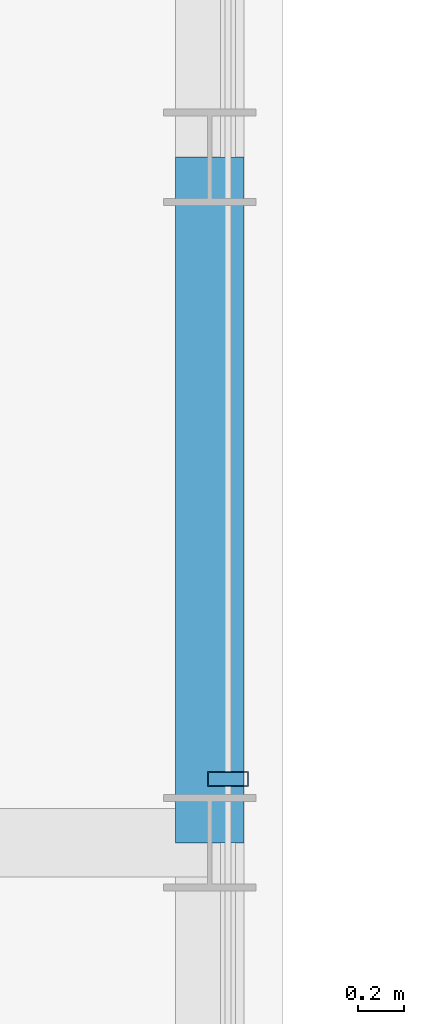
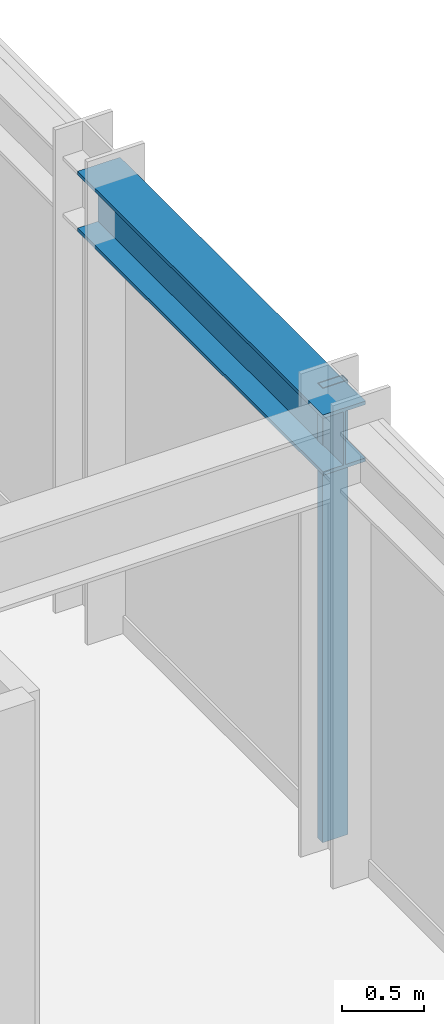
# One storey, part 13 of 29: 1 beam, 1 member, 1 element without a shape of its own.
"""IFC4 building model written with IfcOpenShell, lengths in metres."""

from ifc_helpers import new_model, si_unit, direction, frame, origin, origin_2d, place, context, subcontext, project, spatial, hollow_rectangle, i_section, extrude, source, transform, mapped, material, material_profile, profile_set, type_object, element, aggregate, save


model = new_model("IFC4")

# Units and contexts
model_context = context("Model", 3, precision=1e-05, world=origin(), true_north=direction((0.0, 1.0)))
body_context = subcontext(model_context, "Body", "Model", "MODEL_VIEW")
ifc_project = project(units=[si_unit("LENGTHUNIT", "METRE"), si_unit("AREAUNIT", "SQUARE_METRE"), si_unit("VOLUMEUNIT", "CUBIC_METRE"), si_unit("PLANEANGLEUNIT", "RADIAN"), si_unit("MASSUNIT", "GRAM", prefix="KILO")], contexts=[model_context])

# Site, building, storey
site_placement = place(None, origin())
site = spatial("IfcSite", under=ifc_project, at=site_placement, CompositionType="ELEMENT")
building_placement = place(site_placement, origin())
building = spatial("IfcBuilding", under=site, at=building_placement, Name="Nahalor Promenade Grand Hotel", CompositionType="ELEMENT")
storey_placement = place(building_placement, frame((0.0, 0.0, 189.14990234375)))
storey = spatial("IfcBuildingStorey", under=building, at=storey_placement, Name="L48", CompositionType="ELEMENT", Elevation=189.14990234375)

# Beam
ifc_material_1 = material(Name="Steel S355JR", Category="steel")
ifc_material_profile_1 = material_profile(ifc_material_1, i_section(OverallWidth=0.3, OverallDepth=0.45, WebThickness=0.014, FlangeThickness=0.026, at=origin_2d()), Name="HEB 450")
ifc_profile_set_1 = profile_set([ifc_material_profile_1], Name="Steel S355JR")
beam_type = type_object("IfcBeamType", Name="Beam-Spandrel-HEB450", PredefinedType="SPANDREL", material=ifc_profile_set_1)
shared_shape_1 = source(origin(), body_context, "Body", "SweptSolid", [
    extrude(i_section(OverallWidth=0.3, OverallDepth=0.45, WebThickness=0.014, FlangeThickness=0.026, at=origin_2d()), origin(), (0.0, 0.0, 1.0), 3.0),
])
beam_placement = place(storey_placement, frame((22.47998046875, 5.39990234375, 3.1650390625), z_axis=(0.0, 1.0, 0.0), x_axis=(-1.0, 0.0, 0.0)))
element("IfcBeam", 1, at=beam_placement, inside=storey, type_object=beam_type, Name="BM-L48-SP-E-3", PredefinedType="SPANDREL", context=body_context, shape_type="MappedRepresentation", body=[
    mapped(shared_shape_1, transform((0.0, 0.0, 0.0), scale=1.0)),
])

# Curtain wall, member
ifc_material_2 = material(Name="Anodised Bronze Aluminium EN AW-6063 T6", Category="aluminium")
curtain_wall_type = type_object("IfcCurtainWallType", Name="CW2 Typical Hotel Flush Bronze Unitised Curtain Wall", PredefinedType="USERDEFINED", material=ifc_material_2)
curtain_wall_placement = place(storey_placement, origin())
curtain_wall = element("IfcCurtainWall", 2, at=curtain_wall_placement, inside=storey, type_object=curtain_wall_type, Name="L48 Curtain Wall CW-L48-E-3", ObjectType="UNITISED_CURTAIN_WALL", PredefinedType="USERDEFINED")
ifc_material_profile_2 = material_profile(ifc_material_2, hollow_rectangle(XDim=0.065, YDim=0.18, WallThickness=0.004, at=origin_2d()), Name="CWM 65x180x4")
ifc_profile_set_2 = profile_set([ifc_material_profile_2], Name="Anodised Bronze Aluminium EN AW-6063 T6")
member_type = type_object("IfcMemberType", Name="CWM2 Typical Bronze Mullion 65x180", PredefinedType="MULLION", material=ifc_profile_set_2)
shared_shape_2 = source(origin(), body_context, "Body", "SweptSolid", [
    extrude(hollow_rectangle(XDim=0.065, YDim=0.18, WallThickness=0.004, at=origin_2d()), origin(), (0.0, 0.0, 1.0), 3.39013671875),
])
member_placement = place(storey_placement, frame((22.56005859375, 5.679931640625, 0.0), z_axis=(0.0, 0.0, 1.0), x_axis=(0.0, 1.0, 0.0)))
member = element("IfcMember", 3, at=member_placement, type_object=member_type, Name="CW-L48-E-3 Mullion 1", PredefinedType="MULLION", context=body_context, shape_type="MappedRepresentation", body=[
    mapped(shared_shape_2, transform((0.0, 0.0, 0.0), scale=1.0)),
])
aggregate(curtain_wall, [member])

save(model, "model.ifc")
